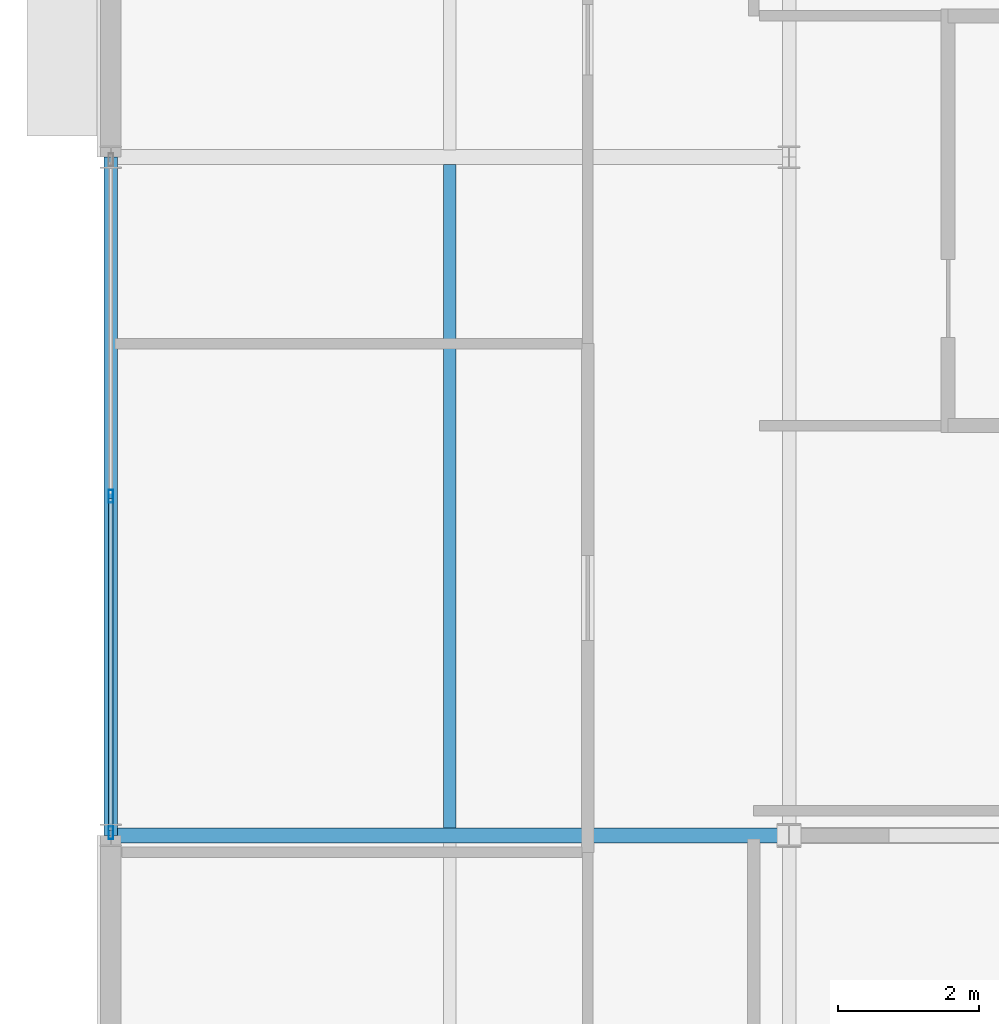
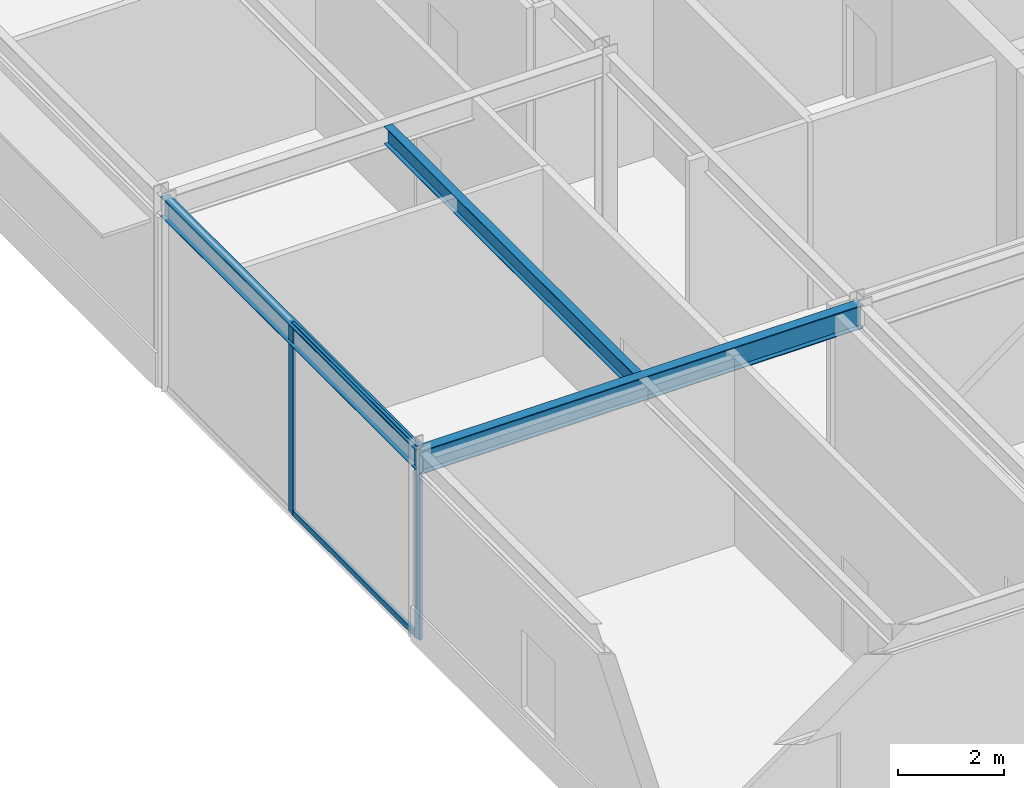
# One storey, part 4 of 18: 4 members, 3 beams, 1 element without a shape of its own.
"""IFC4 building model written with IfcOpenShell, lengths in metres."""

from ifc_helpers import new_model, si_unit, direction, frame, origin, origin_2d, place, context, subcontext, project, spatial, hollow_rectangle, i_section, extrude, material, material_profile, profile_set, type_object, element, aggregate, save


model = new_model("IFC4")

# Units and contexts
model_context = context("Model", 3, precision=1e-05, world=origin(), true_north=direction((0.0, 1.0)))
body_context = subcontext(model_context, "Body", "Model", "MODEL_VIEW")
ifc_project = project(units=[si_unit("LENGTHUNIT", "METRE"), si_unit("AREAUNIT", "SQUARE_METRE"), si_unit("VOLUMEUNIT", "CUBIC_METRE"), si_unit("PLANEANGLEUNIT", "RADIAN"), si_unit("MASSUNIT", "GRAM", prefix="KILO")], contexts=[model_context])

# Site, building, storey
site_placement = place(None, origin())
site = spatial("IfcSite", under=ifc_project, at=site_placement, CompositionType="ELEMENT")
building_placement = place(site_placement, origin())
building = spatial("IfcBuilding", under=site, at=building_placement, Name="Almandine Court Research Institute", CompositionType="ELEMENT")
storey_placement = place(building_placement, frame((0.0, 0.0, 37.10009765625)))
storey = spatial("IfcBuildingStorey", under=building, at=storey_placement, Name="L08", CompositionType="ELEMENT", Elevation=37.10009765625)

# Beams
ifc_material_1 = material(Name="Steel ASTM A992 Grade 50", Category="steel")
ifc_material_profile_1 = material_profile(ifc_material_1, i_section(OverallWidth=0.18994140625, OverallDepth=0.45703125, WebThickness=0.009033203125, FlangeThickness=0.014892578125, at=origin_2d()), Name="W460x74")
ifc_profile_set_1 = profile_set([ifc_material_profile_1], Name="Steel ASTM A992 Grade 50")
beam_type_1 = type_object("IfcBeamType", Name="Beam-B-01", PredefinedType="BEAM", material=ifc_profile_set_1)
beam_1_placement = place(storey_placement, frame((153.60009765625, 15.60009765625, 4.156982421875), z_axis=(0.0, 1.0, 0.0), x_axis=(-1.0, 0.0, 0.0)))
element("IfcBeam", 1, at=beam_1_placement, inside=storey, type_object=beam_type_1, Name="L08 V4 Primary Y Girder", PredefinedType="BEAM", context=body_context, shape_type="SweptSolid", body=[
    extrude(i_section(OverallWidth=0.18994140625, OverallDepth=0.45703125, WebThickness=0.009033203125, FlangeThickness=0.014892578125, at=origin_2d()), origin(), (0.0, 0.0, 1.0), 9.599853515625),
])
ifc_material_profile_2 = material_profile(ifc_material_1, i_section(OverallWidth=0.178955078125, OverallDepth=0.409912109375, WebThickness=0.009033203125, FlangeThickness=0.013916015625, at=origin_2d()), Name="W410x67")
ifc_profile_set_2 = profile_set([ifc_material_profile_2], Name="Steel ASTM A992 Grade 50")
beam_type_2 = type_object("IfcBeamType", Name="Beam-B-02", PredefinedType="JOIST", material=ifc_profile_set_2)
beam_2_placement = place(storey_placement, frame((158.39990234375, 15.7041015625, 4.179931640625), z_axis=(0.0, 1.0, 0.0), x_axis=(-1.0, 0.0, 0.0)))
element("IfcBeam", 2, at=beam_2_placement, inside=storey, type_object=beam_type_2, Name="L08 V4 Composite Secondary Beam", PredefinedType="JOIST", context=body_context, shape_type="SweptSolid", body=[
    extrude(i_section(OverallWidth=0.178955078125, OverallDepth=0.409912109375, WebThickness=0.009033203125, FlangeThickness=0.013916015625, at=origin_2d()), origin(), (0.0, 0.0, 1.0), 9.391845703125),
])
ifc_material_profile_3 = material_profile(ifc_material_1, i_section(OverallWidth=0.2109375, OverallDepth=0.5390625, WebThickness=0.011962890625, FlangeThickness=0.01904296875, at=origin_2d()), Name="W530x109")
ifc_profile_set_3 = profile_set([ifc_material_profile_3], Name="Steel ASTM A992 Grade 50")
beam_type_3 = type_object("IfcBeamType", Name="Beam-G-04", PredefinedType="BEAM", material=ifc_profile_set_3)
beam_3_placement = place(storey_placement, frame((153.60009765625, 15.60009765625, 4.114990234375), z_axis=(1.0, 0.0, 0.0), x_axis=(0.0, 1.0, 0.0)))
element("IfcBeam", 3, at=beam_3_placement, inside=storey, type_object=beam_type_3, Name="L08 V4 Primary X Girder", PredefinedType="BEAM", context=body_context, shape_type="SweptSolid", body=[
    extrude(i_section(OverallWidth=0.2109375, OverallDepth=0.5390625, WebThickness=0.011962890625, FlangeThickness=0.01904296875, at=origin_2d()), origin(), (0.0, 0.0, 1.0), 9.599853515625),
])

# Curtain wall, members
ifc_material_2 = material(Name="Unitised Curtain Wall Framing and Solar Glazing", Category="glass")
curtain_wall_type = type_object("IfcCurtainWallType", Name="CW-CWJ-02", PredefinedType="USERDEFINED", material=ifc_material_2)
curtain_wall_placement = place(storey_placement, origin())
curtain_wall = element("IfcCurtainWall", 4, at=curtain_wall_placement, inside=storey, type_object=curtain_wall_type, Name="L08 Wet Lab West Courtyard Jali Curtain Wall 2", ObjectType="SOLAR JALI SCREEN", PredefinedType="USERDEFINED")
ifc_material_3 = material(Name="Anodised Aluminium AW-6063-T6", Category="aluminium")
ifc_material_profile_4 = material_profile(ifc_material_3, hollow_rectangle(XDim=0.06494140625, YDim=0.179931640625, WallThickness=0.00390625, at=origin_2d()), Name="ALU RHS 65x180x4")
ifc_profile_set_4 = profile_set([ifc_material_profile_4], Name="Anodised Aluminium AW-6063-T6")
member_type_1 = type_object("IfcMemberType", Name="CWMul-65x180", PredefinedType="MULLION", material=ifc_profile_set_4)
member_1_placement = place(storey_placement, frame((153.60009765625, 15.636474609375, 0.0), z_axis=(0.0, 0.0, 1.0), x_axis=(-1.0, 0.0, 0.0)))
member_1 = element("IfcMember", 5, at=member_1_placement, type_object=member_type_1, Name="CWJ-02 mullion 1", PredefinedType="MULLION", context=body_context, shape_type="SweptSolid", body=[
    extrude(hollow_rectangle(XDim=0.06494140625, YDim=0.179931640625, WallThickness=0.00390625, at=origin_2d()), origin(), (0.0, 0.0, 1.0), 4.369873046875),
])
member_2_placement = place(storey_placement, frame((153.60009765625, 20.39990234375, 0.0), z_axis=(0.0, 0.0, 1.0), x_axis=(-1.0, 0.0, 0.0)))
member_2 = element("IfcMember", 6, at=member_2_placement, type_object=member_type_1, Name="CWJ-02 mullion 2", PredefinedType="MULLION", context=body_context, shape_type="SweptSolid", body=[
    extrude(hollow_rectangle(XDim=0.06494140625, YDim=0.179931640625, WallThickness=0.00390625, at=origin_2d()), origin(), (0.0, 0.0, 1.0), 4.369873046875),
])
ifc_material_profile_5 = material_profile(ifc_material_3, hollow_rectangle(XDim=0.06494140625, YDim=0.1298828125, WallThickness=0.00390625, at=origin_2d()), Name="ALU RHS 65x130x4")
ifc_profile_set_5 = profile_set([ifc_material_profile_5], Name="Anodised Aluminium AW-6063-T6")
member_type_2 = type_object("IfcMemberType", Name="CWTrn-65x130", PredefinedType="NOTDEFINED", material=ifc_profile_set_5)
member_3_placement = place(storey_placement, frame((153.60009765625, 15.6689453125, 0.032470703125), z_axis=(0.0, 1.0, 0.0), x_axis=(-1.0, 0.0, 0.0)))
member_3 = element("IfcMember", 7, at=member_3_placement, type_object=member_type_2, Name="CWJ-02 transom 1.1", ObjectType="TRANSOM", PredefinedType="USERDEFINED", context=body_context, shape_type="SweptSolid", body=[
    extrude(hollow_rectangle(XDim=0.06494140625, YDim=0.1298828125, WallThickness=0.00390625, at=origin_2d()), origin(), (0.0, 0.0, 1.0), 4.698486328125),
])
member_4_placement = place(storey_placement, frame((153.60009765625, 15.6689453125, 4.33740234375), z_axis=(0.0, 1.0, 0.0), x_axis=(-1.0, 0.0, 0.0)))
member_4 = element("IfcMember", 8, at=member_4_placement, type_object=member_type_2, Name="CWJ-02 transom 1.2", ObjectType="TRANSOM", PredefinedType="USERDEFINED", context=body_context, shape_type="SweptSolid", body=[
    extrude(hollow_rectangle(XDim=0.06494140625, YDim=0.1298828125, WallThickness=0.00390625, at=origin_2d()), origin(), (0.0, 0.0, 1.0), 4.698486328125),
])
aggregate(curtain_wall, [member_1, member_2, member_3, member_4])

save(model, "model.ifc")
